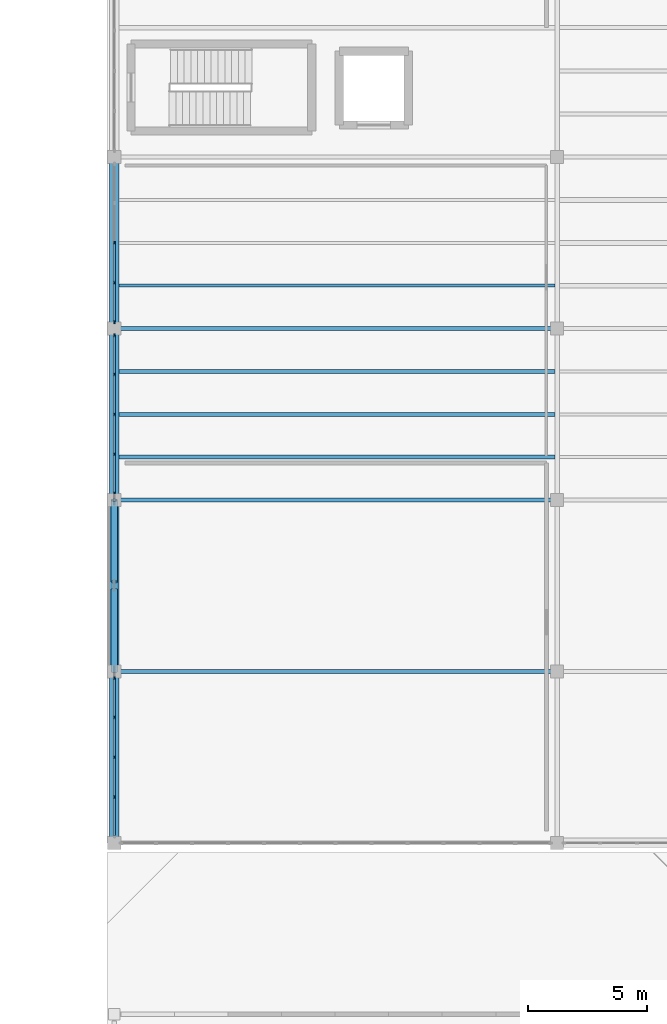
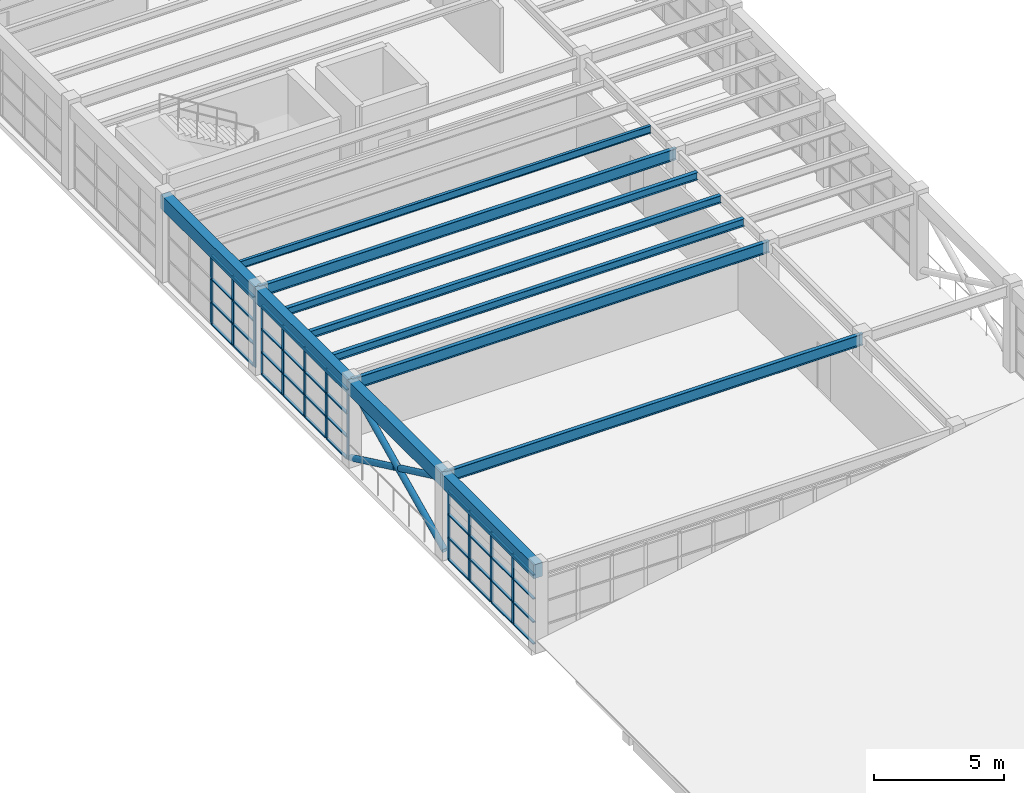
# One storey, part 29 of 66: 55 members, 11 beams, 3 elements without a shape of their own.
"""IFC4 building model written with IfcOpenShell, lengths in metres."""

from ifc_helpers import new_model, si_unit, direction, frame, origin, origin_2d, place, context, subcontext, project, spatial, rectangle, hollow_circle, i_section, extrude, material, layer, layer_set, material_profile, profile_set, type_object, element, aggregate, save


model = new_model("IFC4")

# Units and contexts
model_context = context("Model", 3, precision=1e-05, world=origin(), true_north=direction((0.0, 1.0)))
body_context = subcontext(model_context, "Body", "Model", "MODEL_VIEW")
ifc_project = project(units=[si_unit("LENGTHUNIT", "METRE"), si_unit("AREAUNIT", "SQUARE_METRE"), si_unit("VOLUMEUNIT", "CUBIC_METRE"), si_unit("PLANEANGLEUNIT", "RADIAN"), si_unit("MASSUNIT", "GRAM", prefix="KILO")], contexts=[model_context])

# Site, building, storey
site_placement = place(None, origin())
site = spatial("IfcSite", under=ifc_project, at=site_placement, CompositionType="ELEMENT")
building_placement = place(site_placement, origin())
building = spatial("IfcBuilding", under=site, at=building_placement, Name="Candilejo Ridge Gondola Terminal", CompositionType="ELEMENT")
storey_placement = place(building_placement, frame((0.0, 0.0, 14.39990234375)))
storey = spatial("IfcBuildingStorey", under=building, at=storey_placement, Name="L03", CompositionType="ELEMENT", Elevation=14.39990234375)

# Curtain wall, members
ifc_material_1 = material(Name="Anodised aluminium AA 6063-T6", Category="aluminium")
ifc_layer = layer(ifc_material_1, 0.169921875)
ifc_layer_set = layer_set([ifc_layer], Name="ARC-CW-TOWER-3000-670X329")
curtain_wall_type = type_object("IfcCurtainWallType", Name="ARC-CW-TOWER-3000-670X329", PredefinedType="NOTDEFINED", material=ifc_layer_set)
curtain_wall_1_placement = place(storey_placement, origin())
curtain_wall_1 = element("IfcCurtainWall", 1, at=curtain_wall_1_placement, inside=storey, type_object=curtain_wall_type, Name="Curtain wall V5 L03-196", PredefinedType="NOTDEFINED")
ifc_material_2 = material(Name="Anodised aluminium AA 6063-T6", Category="aluminium")
ifc_material_profile_1 = material_profile(ifc_material_2, rectangle(XDim=0.06494140625, YDim=0.14990234375, at=origin_2d()))
ifc_profile_set_1 = profile_set([ifc_material_profile_1], Name="Anodised aluminium AA 6063-T6")
member_type_1 = type_object("IfcMemberType", Name="ARC-CW-MULLION-150", PredefinedType="MULLION", material=ifc_profile_set_1)
member_1_placement = place(storey_placement, frame((150.0, 72.175048828125, 0.0), z_axis=(0.0, 0.0, 1.0), x_axis=(-1.0, 0.0, 0.0)))
member_1 = element("IfcMember", 2, at=member_1_placement, type_object=member_type_1, Name="CW-67X32 mullion 2", PredefinedType="MULLION", context=body_context, shape_type="SweptSolid", body=[
    extrude(rectangle(XDim=0.06494140625, YDim=0.14990234375, at=origin_2d()), origin(), (0.0, 0.0, 1.0), 3.2900390625),
])
member_2_placement = place(storey_placement, frame((150.0, 73.85009765625, 0.0), z_axis=(0.0, 0.0, 1.0), x_axis=(-1.0, 0.0, 0.0)))
member_2 = element("IfcMember", 3, at=member_2_placement, type_object=member_type_1, Name="CW-67X32 mullion 3", PredefinedType="MULLION", context=body_context, shape_type="SweptSolid", body=[
    extrude(rectangle(XDim=0.06494140625, YDim=0.14990234375, at=origin_2d()), origin(), (0.0, 0.0, 1.0), 3.2900390625),
])
member_3_placement = place(storey_placement, frame((150.0, 75.52490234375, 0.0), z_axis=(0.0, 0.0, 1.0), x_axis=(-1.0, 0.0, 0.0)))
member_3 = element("IfcMember", 4, at=member_3_placement, type_object=member_type_1, Name="CW-67X32 mullion 4", PredefinedType="MULLION", context=body_context, shape_type="SweptSolid", body=[
    extrude(rectangle(XDim=0.06494140625, YDim=0.14990234375, at=origin_2d()), origin(), (0.0, 0.0, 1.0), 3.2900390625),
])
member_4_placement = place(storey_placement, frame((150.0, 77.16748046875, 0.0), z_axis=(0.0, 0.0, 1.0), x_axis=(-1.0, 0.0, 0.0)))
member_4 = element("IfcMember", 5, at=member_4_placement, type_object=member_type_1, Name="CW-67X32 mullion 5", PredefinedType="MULLION", context=body_context, shape_type="SweptSolid", body=[
    extrude(rectangle(XDim=0.06494140625, YDim=0.14990234375, at=origin_2d()), origin(), (0.0, 0.0, 1.0), 3.2900390625),
])

curtain_wall_2_placement = place(storey_placement, origin())
curtain_wall_2 = element("IfcCurtainWall", 6, at=curtain_wall_2_placement, inside=storey, type_object=curtain_wall_type, Name="Curtain wall V5 L03-198", PredefinedType="NOTDEFINED")
member_5_placement = place(storey_placement, frame((150.0, 84.9326171875, 0.0), z_axis=(0.0, 0.0, 1.0), x_axis=(-1.0, 0.0, 0.0)))
member_5 = element("IfcMember", 7, at=member_5_placement, type_object=member_type_1, Name="CW-67X32 mullion 1", PredefinedType="MULLION", context=body_context, shape_type="SweptSolid", body=[
    extrude(rectangle(XDim=0.06494140625, YDim=0.14990234375, at=origin_2d()), origin(), (0.0, 0.0, 1.0), 3.2900390625),
])
member_6_placement = place(storey_placement, frame((150.0, 86.574951171875, 0.0), z_axis=(0.0, 0.0, 1.0), x_axis=(-1.0, 0.0, 0.0)))
member_6 = element("IfcMember", 8, at=member_6_placement, type_object=member_type_1, Name="CW-67X32 mullion 2", PredefinedType="MULLION", context=body_context, shape_type="SweptSolid", body=[
    extrude(rectangle(XDim=0.06494140625, YDim=0.14990234375, at=origin_2d()), origin(), (0.0, 0.0, 1.0), 3.2900390625),
])
member_7_placement = place(storey_placement, frame((150.0, 88.25, 0.0), z_axis=(0.0, 0.0, 1.0), x_axis=(-1.0, 0.0, 0.0)))
member_7 = element("IfcMember", 9, at=member_7_placement, type_object=member_type_1, Name="CW-67X32 mullion 3", PredefinedType="MULLION", context=body_context, shape_type="SweptSolid", body=[
    extrude(rectangle(XDim=0.06494140625, YDim=0.14990234375, at=origin_2d()), origin(), (0.0, 0.0, 1.0), 3.2900390625),
])
member_8_placement = place(storey_placement, frame((150.0, 89.925048828125, 0.0), z_axis=(0.0, 0.0, 1.0), x_axis=(-1.0, 0.0, 0.0)))
member_8 = element("IfcMember", 10, at=member_8_placement, type_object=member_type_1, Name="CW-67X32 mullion 4", PredefinedType="MULLION", context=body_context, shape_type="SweptSolid", body=[
    extrude(rectangle(XDim=0.06494140625, YDim=0.14990234375, at=origin_2d()), origin(), (0.0, 0.0, 1.0), 3.2900390625),
])
member_9_placement = place(storey_placement, frame((150.0, 91.5673828125, 0.0), z_axis=(0.0, 0.0, 1.0), x_axis=(-1.0, 0.0, 0.0)))
member_9 = element("IfcMember", 11, at=member_9_placement, type_object=member_type_1, Name="CW-67X32 mullion 5", PredefinedType="MULLION", context=body_context, shape_type="SweptSolid", body=[
    extrude(rectangle(XDim=0.06494140625, YDim=0.14990234375, at=origin_2d()), origin(), (0.0, 0.0, 1.0), 3.2900390625),
])

curtain_wall_3_placement = place(storey_placement, origin())
curtain_wall_3 = element("IfcCurtainWall", 12, at=curtain_wall_3_placement, inside=storey, type_object=curtain_wall_type, Name="Curtain wall V5 L03-200", PredefinedType="NOTDEFINED")
member_10_placement = place(storey_placement, frame((150.0, 92.132568359375, 0.0), z_axis=(0.0, 0.0, 1.0), x_axis=(-1.0, 0.0, 0.0)))
member_10 = element("IfcMember", 13, at=member_10_placement, type_object=member_type_1, Name="CW-67X32 mullion 1", PredefinedType="MULLION", context=body_context, shape_type="SweptSolid", body=[
    extrude(rectangle(XDim=0.06494140625, YDim=0.14990234375, at=origin_2d()), origin(), (0.0, 0.0, 1.0), 3.2900390625),
])
member_11_placement = place(storey_placement, frame((150.0, 93.77490234375, 0.0), z_axis=(0.0, 0.0, 1.0), x_axis=(-1.0, 0.0, 0.0)))
member_11 = element("IfcMember", 14, at=member_11_placement, type_object=member_type_1, Name="CW-67X32 mullion 2", PredefinedType="MULLION", context=body_context, shape_type="SweptSolid", body=[
    extrude(rectangle(XDim=0.06494140625, YDim=0.14990234375, at=origin_2d()), origin(), (0.0, 0.0, 1.0), 3.2900390625),
])
member_12_placement = place(storey_placement, frame((150.0, 95.449951171875, 0.0), z_axis=(0.0, 0.0, 1.0), x_axis=(-1.0, 0.0, 0.0)))
member_12 = element("IfcMember", 15, at=member_12_placement, type_object=member_type_1, Name="CW-67X32 mullion 3", PredefinedType="MULLION", context=body_context, shape_type="SweptSolid", body=[
    extrude(rectangle(XDim=0.06494140625, YDim=0.14990234375, at=origin_2d()), origin(), (0.0, 0.0, 1.0), 3.2900390625),
])

# Member
ifc_material_3 = material(Name="Anodised aluminium AA 6063-T6", Category="aluminium")
ifc_material_profile_2 = material_profile(ifc_material_3, rectangle(XDim=0.110107421875, YDim=0.06005859375, at=origin_2d()))
ifc_profile_set_2 = profile_set([ifc_material_profile_2], Name="Anodised aluminium AA 6063-T6")
member_type_2 = type_object("IfcMemberType", Name="ARC-CW-TRANSOM-110", PredefinedType="USERDEFINED", material=ifc_profile_set_2)
member_13_placement = place(storey_placement, frame((150.0, 70.56494140625, 0.030029296875), z_axis=(0.0, 1.0, 0.0), x_axis=(-1.0, 0.0, 0.0)))
member_13 = element("IfcMember", 16, at=member_13_placement, type_object=member_type_2, Name="CW-67X32 transom 1.1", ObjectType="TRANSOM", PredefinedType="USERDEFINED", context=body_context, shape_type="SweptSolid", body=[
    extrude(rectangle(XDim=0.110107421875, YDim=0.06005859375, at=origin_2d()), origin(), (0.0, 0.0, 1.0), 1.57763671875),
])

member_14_placement = place(storey_placement, frame((150.0, 70.56494140625, 1.050048828125), z_axis=(0.0, 1.0, 0.0), x_axis=(-1.0, 0.0, 0.0)))
member_14 = element("IfcMember", 17, at=member_14_placement, type_object=member_type_2, Name="CW-67X32 transom 1.2", ObjectType="TRANSOM", PredefinedType="USERDEFINED", context=body_context, shape_type="SweptSolid", body=[
    extrude(rectangle(XDim=0.110107421875, YDim=0.06005859375, at=origin_2d()), origin(), (0.0, 0.0, 1.0), 1.57763671875),
])

member_15_placement = place(storey_placement, frame((150.0, 70.56494140625, 2.150146484375), z_axis=(0.0, 1.0, 0.0), x_axis=(-1.0, 0.0, 0.0)))
member_15 = element("IfcMember", 18, at=member_15_placement, type_object=member_type_2, Name="CW-67X32 transom 1.3", ObjectType="TRANSOM", PredefinedType="USERDEFINED", context=body_context, shape_type="SweptSolid", body=[
    extrude(rectangle(XDim=0.110107421875, YDim=0.06005859375, at=origin_2d()), origin(), (0.0, 0.0, 1.0), 1.57763671875),
])

member_16_placement = place(storey_placement, frame((150.0, 70.56494140625, 3.260009765625), z_axis=(0.0, 1.0, 0.0), x_axis=(-1.0, 0.0, 0.0)))
member_16 = element("IfcMember", 19, at=member_16_placement, type_object=member_type_2, Name="CW-67X32 transom 1.4", ObjectType="TRANSOM", PredefinedType="USERDEFINED", context=body_context, shape_type="SweptSolid", body=[
    extrude(rectangle(XDim=0.110107421875, YDim=0.06005859375, at=origin_2d()), origin(), (0.0, 0.0, 1.0), 1.57763671875),
])

member_17_placement = place(storey_placement, frame((150.0, 72.20751953125, 0.030029296875), z_axis=(0.0, 1.0, 0.0), x_axis=(-1.0, 0.0, 0.0)))
member_17 = element("IfcMember", 20, at=member_17_placement, type_object=member_type_2, Name="CW-67X32 transom 2.1", ObjectType="TRANSOM", PredefinedType="USERDEFINED", context=body_context, shape_type="SweptSolid", body=[
    extrude(rectangle(XDim=0.110107421875, YDim=0.06005859375, at=origin_2d()), origin(), (0.0, 0.0, 1.0), 1.60986328125),
])

member_18_placement = place(storey_placement, frame((150.0, 72.20751953125, 1.050048828125), z_axis=(0.0, 1.0, 0.0), x_axis=(-1.0, 0.0, 0.0)))
member_18 = element("IfcMember", 21, at=member_18_placement, type_object=member_type_2, Name="CW-67X32 transom 2.2", ObjectType="TRANSOM", PredefinedType="USERDEFINED", context=body_context, shape_type="SweptSolid", body=[
    extrude(rectangle(XDim=0.110107421875, YDim=0.06005859375, at=origin_2d()), origin(), (0.0, 0.0, 1.0), 1.60986328125),
])

member_19_placement = place(storey_placement, frame((150.0, 72.20751953125, 2.150146484375), z_axis=(0.0, 1.0, 0.0), x_axis=(-1.0, 0.0, 0.0)))
member_19 = element("IfcMember", 22, at=member_19_placement, type_object=member_type_2, Name="CW-67X32 transom 2.3", ObjectType="TRANSOM", PredefinedType="USERDEFINED", context=body_context, shape_type="SweptSolid", body=[
    extrude(rectangle(XDim=0.110107421875, YDim=0.06005859375, at=origin_2d()), origin(), (0.0, 0.0, 1.0), 1.60986328125),
])

member_20_placement = place(storey_placement, frame((150.0, 72.20751953125, 3.260009765625), z_axis=(0.0, 1.0, 0.0), x_axis=(-1.0, 0.0, 0.0)))
member_20 = element("IfcMember", 23, at=member_20_placement, type_object=member_type_2, Name="CW-67X32 transom 2.4", ObjectType="TRANSOM", PredefinedType="USERDEFINED", context=body_context, shape_type="SweptSolid", body=[
    extrude(rectangle(XDim=0.110107421875, YDim=0.06005859375, at=origin_2d()), origin(), (0.0, 0.0, 1.0), 1.60986328125),
])

member_21_placement = place(storey_placement, frame((150.0, 73.882568359375, 0.030029296875), z_axis=(0.0, 1.0, 0.0), x_axis=(-1.0, 0.0, 0.0)))
member_21 = element("IfcMember", 24, at=member_21_placement, type_object=member_type_2, Name="CW-67X32 transom 3.1", ObjectType="TRANSOM", PredefinedType="USERDEFINED", context=body_context, shape_type="SweptSolid", body=[
    extrude(rectangle(XDim=0.110107421875, YDim=0.06005859375, at=origin_2d()), origin(), (0.0, 0.0, 1.0), 1.60986328125),
])

member_22_placement = place(storey_placement, frame((150.0, 73.882568359375, 1.050048828125), z_axis=(0.0, 1.0, 0.0), x_axis=(-1.0, 0.0, 0.0)))
member_22 = element("IfcMember", 25, at=member_22_placement, type_object=member_type_2, Name="CW-67X32 transom 3.2", ObjectType="TRANSOM", PredefinedType="USERDEFINED", context=body_context, shape_type="SweptSolid", body=[
    extrude(rectangle(XDim=0.110107421875, YDim=0.06005859375, at=origin_2d()), origin(), (0.0, 0.0, 1.0), 1.60986328125),
])

member_23_placement = place(storey_placement, frame((150.0, 73.882568359375, 2.150146484375), z_axis=(0.0, 1.0, 0.0), x_axis=(-1.0, 0.0, 0.0)))
member_23 = element("IfcMember", 26, at=member_23_placement, type_object=member_type_2, Name="CW-67X32 transom 3.3", ObjectType="TRANSOM", PredefinedType="USERDEFINED", context=body_context, shape_type="SweptSolid", body=[
    extrude(rectangle(XDim=0.110107421875, YDim=0.06005859375, at=origin_2d()), origin(), (0.0, 0.0, 1.0), 1.60986328125),
])

member_24_placement = place(storey_placement, frame((150.0, 73.882568359375, 3.260009765625), z_axis=(0.0, 1.0, 0.0), x_axis=(-1.0, 0.0, 0.0)))
member_24 = element("IfcMember", 27, at=member_24_placement, type_object=member_type_2, Name="CW-67X32 transom 3.4", ObjectType="TRANSOM", PredefinedType="USERDEFINED", context=body_context, shape_type="SweptSolid", body=[
    extrude(rectangle(XDim=0.110107421875, YDim=0.06005859375, at=origin_2d()), origin(), (0.0, 0.0, 1.0), 1.60986328125),
])

member_25_placement = place(storey_placement, frame((150.0, 75.5576171875, 0.030029296875), z_axis=(0.0, 1.0, 0.0), x_axis=(-1.0, 0.0, 0.0)))
member_25 = element("IfcMember", 28, at=member_25_placement, type_object=member_type_2, Name="CW-67X32 transom 4.1", ObjectType="TRANSOM", PredefinedType="USERDEFINED", context=body_context, shape_type="SweptSolid", body=[
    extrude(rectangle(XDim=0.110107421875, YDim=0.06005859375, at=origin_2d()), origin(), (0.0, 0.0, 1.0), 1.577392578125),
])

member_26_placement = place(storey_placement, frame((150.0, 75.5576171875, 1.050048828125), z_axis=(0.0, 1.0, 0.0), x_axis=(-1.0, 0.0, 0.0)))
member_26 = element("IfcMember", 29, at=member_26_placement, type_object=member_type_2, Name="CW-67X32 transom 4.2", ObjectType="TRANSOM", PredefinedType="USERDEFINED", context=body_context, shape_type="SweptSolid", body=[
    extrude(rectangle(XDim=0.110107421875, YDim=0.06005859375, at=origin_2d()), origin(), (0.0, 0.0, 1.0), 1.577392578125),
])

member_27_placement = place(storey_placement, frame((150.0, 75.5576171875, 2.150146484375), z_axis=(0.0, 1.0, 0.0), x_axis=(-1.0, 0.0, 0.0)))
member_27 = element("IfcMember", 30, at=member_27_placement, type_object=member_type_2, Name="CW-67X32 transom 4.3", ObjectType="TRANSOM", PredefinedType="USERDEFINED", context=body_context, shape_type="SweptSolid", body=[
    extrude(rectangle(XDim=0.110107421875, YDim=0.06005859375, at=origin_2d()), origin(), (0.0, 0.0, 1.0), 1.577392578125),
])

member_28_placement = place(storey_placement, frame((150.0, 75.5576171875, 3.260009765625), z_axis=(0.0, 1.0, 0.0), x_axis=(-1.0, 0.0, 0.0)))
member_28 = element("IfcMember", 31, at=member_28_placement, type_object=member_type_2, Name="CW-67X32 transom 4.4", ObjectType="TRANSOM", PredefinedType="USERDEFINED", context=body_context, shape_type="SweptSolid", body=[
    extrude(rectangle(XDim=0.110107421875, YDim=0.06005859375, at=origin_2d()), origin(), (0.0, 0.0, 1.0), 1.577392578125),
])

aggregate(curtain_wall_1, [member_1, member_2, member_3, member_4, member_13, member_14, member_15, member_16, member_17, member_18, member_19, member_20, member_21, member_22, member_23, member_24, member_25, member_26, member_27, member_28])

member_29_placement = place(storey_placement, frame((150.0, 84.965087890625, 0.030029296875), z_axis=(0.0, 1.0, 0.0), x_axis=(-1.0, 0.0, 0.0)))
member_29 = element("IfcMember", 32, at=member_29_placement, type_object=member_type_2, Name="CW-67X32 transom 1.1", ObjectType="TRANSOM", PredefinedType="USERDEFINED", context=body_context, shape_type="SweptSolid", body=[
    extrude(rectangle(XDim=0.110107421875, YDim=0.06005859375, at=origin_2d()), origin(), (0.0, 0.0, 1.0), 1.577392578125),
])

member_30_placement = place(storey_placement, frame((150.0, 84.965087890625, 1.050048828125), z_axis=(0.0, 1.0, 0.0), x_axis=(-1.0, 0.0, 0.0)))
member_30 = element("IfcMember", 33, at=member_30_placement, type_object=member_type_2, Name="CW-67X32 transom 1.2", ObjectType="TRANSOM", PredefinedType="USERDEFINED", context=body_context, shape_type="SweptSolid", body=[
    extrude(rectangle(XDim=0.110107421875, YDim=0.06005859375, at=origin_2d()), origin(), (0.0, 0.0, 1.0), 1.577392578125),
])

member_31_placement = place(storey_placement, frame((150.0, 84.965087890625, 2.150146484375), z_axis=(0.0, 1.0, 0.0), x_axis=(-1.0, 0.0, 0.0)))
member_31 = element("IfcMember", 34, at=member_31_placement, type_object=member_type_2, Name="CW-67X32 transom 1.3", ObjectType="TRANSOM", PredefinedType="USERDEFINED", context=body_context, shape_type="SweptSolid", body=[
    extrude(rectangle(XDim=0.110107421875, YDim=0.06005859375, at=origin_2d()), origin(), (0.0, 0.0, 1.0), 1.577392578125),
])

member_32_placement = place(storey_placement, frame((150.0, 84.965087890625, 3.260009765625), z_axis=(0.0, 1.0, 0.0), x_axis=(-1.0, 0.0, 0.0)))
member_32 = element("IfcMember", 35, at=member_32_placement, type_object=member_type_2, Name="CW-67X32 transom 1.4", ObjectType="TRANSOM", PredefinedType="USERDEFINED", context=body_context, shape_type="SweptSolid", body=[
    extrude(rectangle(XDim=0.110107421875, YDim=0.06005859375, at=origin_2d()), origin(), (0.0, 0.0, 1.0), 1.577392578125),
])

member_33_placement = place(storey_placement, frame((150.0, 86.607421875, 0.030029296875), z_axis=(0.0, 1.0, 0.0), x_axis=(-1.0, 0.0, 0.0)))
member_33 = element("IfcMember", 36, at=member_33_placement, type_object=member_type_2, Name="CW-67X32 transom 2.1", ObjectType="TRANSOM", PredefinedType="USERDEFINED", context=body_context, shape_type="SweptSolid", body=[
    extrude(rectangle(XDim=0.110107421875, YDim=0.06005859375, at=origin_2d()), origin(), (0.0, 0.0, 1.0), 1.610107421875),
])

member_34_placement = place(storey_placement, frame((150.0, 86.607421875, 1.050048828125), z_axis=(0.0, 1.0, 0.0), x_axis=(-1.0, 0.0, 0.0)))
member_34 = element("IfcMember", 37, at=member_34_placement, type_object=member_type_2, Name="CW-67X32 transom 2.2", ObjectType="TRANSOM", PredefinedType="USERDEFINED", context=body_context, shape_type="SweptSolid", body=[
    extrude(rectangle(XDim=0.110107421875, YDim=0.06005859375, at=origin_2d()), origin(), (0.0, 0.0, 1.0), 1.610107421875),
])

member_35_placement = place(storey_placement, frame((150.0, 86.607421875, 2.150146484375), z_axis=(0.0, 1.0, 0.0), x_axis=(-1.0, 0.0, 0.0)))
member_35 = element("IfcMember", 38, at=member_35_placement, type_object=member_type_2, Name="CW-67X32 transom 2.3", ObjectType="TRANSOM", PredefinedType="USERDEFINED", context=body_context, shape_type="SweptSolid", body=[
    extrude(rectangle(XDim=0.110107421875, YDim=0.06005859375, at=origin_2d()), origin(), (0.0, 0.0, 1.0), 1.610107421875),
])

member_36_placement = place(storey_placement, frame((150.0, 86.607421875, 3.260009765625), z_axis=(0.0, 1.0, 0.0), x_axis=(-1.0, 0.0, 0.0)))
member_36 = element("IfcMember", 39, at=member_36_placement, type_object=member_type_2, Name="CW-67X32 transom 2.4", ObjectType="TRANSOM", PredefinedType="USERDEFINED", context=body_context, shape_type="SweptSolid", body=[
    extrude(rectangle(XDim=0.110107421875, YDim=0.06005859375, at=origin_2d()), origin(), (0.0, 0.0, 1.0), 1.610107421875),
])

member_37_placement = place(storey_placement, frame((150.0, 88.282470703125, 0.030029296875), z_axis=(0.0, 1.0, 0.0), x_axis=(-1.0, 0.0, 0.0)))
member_37 = element("IfcMember", 40, at=member_37_placement, type_object=member_type_2, Name="CW-67X32 transom 3.1", ObjectType="TRANSOM", PredefinedType="USERDEFINED", context=body_context, shape_type="SweptSolid", body=[
    extrude(rectangle(XDim=0.110107421875, YDim=0.06005859375, at=origin_2d()), origin(), (0.0, 0.0, 1.0), 1.610107421875),
])

member_38_placement = place(storey_placement, frame((150.0, 88.282470703125, 1.050048828125), z_axis=(0.0, 1.0, 0.0), x_axis=(-1.0, 0.0, 0.0)))
member_38 = element("IfcMember", 41, at=member_38_placement, type_object=member_type_2, Name="CW-67X32 transom 3.2", ObjectType="TRANSOM", PredefinedType="USERDEFINED", context=body_context, shape_type="SweptSolid", body=[
    extrude(rectangle(XDim=0.110107421875, YDim=0.06005859375, at=origin_2d()), origin(), (0.0, 0.0, 1.0), 1.610107421875),
])

member_39_placement = place(storey_placement, frame((150.0, 88.282470703125, 2.150146484375), z_axis=(0.0, 1.0, 0.0), x_axis=(-1.0, 0.0, 0.0)))
member_39 = element("IfcMember", 42, at=member_39_placement, type_object=member_type_2, Name="CW-67X32 transom 3.3", ObjectType="TRANSOM", PredefinedType="USERDEFINED", context=body_context, shape_type="SweptSolid", body=[
    extrude(rectangle(XDim=0.110107421875, YDim=0.06005859375, at=origin_2d()), origin(), (0.0, 0.0, 1.0), 1.610107421875),
])

member_40_placement = place(storey_placement, frame((150.0, 88.282470703125, 3.260009765625), z_axis=(0.0, 1.0, 0.0), x_axis=(-1.0, 0.0, 0.0)))
member_40 = element("IfcMember", 43, at=member_40_placement, type_object=member_type_2, Name="CW-67X32 transom 3.4", ObjectType="TRANSOM", PredefinedType="USERDEFINED", context=body_context, shape_type="SweptSolid", body=[
    extrude(rectangle(XDim=0.110107421875, YDim=0.06005859375, at=origin_2d()), origin(), (0.0, 0.0, 1.0), 1.610107421875),
])

member_41_placement = place(storey_placement, frame((150.0, 89.95751953125, 0.030029296875), z_axis=(0.0, 1.0, 0.0), x_axis=(-1.0, 0.0, 0.0)))
member_41 = element("IfcMember", 44, at=member_41_placement, type_object=member_type_2, Name="CW-67X32 transom 4.1", ObjectType="TRANSOM", PredefinedType="USERDEFINED", context=body_context, shape_type="SweptSolid", body=[
    extrude(rectangle(XDim=0.110107421875, YDim=0.06005859375, at=origin_2d()), origin(), (0.0, 0.0, 1.0), 1.577392578125),
])

member_42_placement = place(storey_placement, frame((150.0, 89.95751953125, 1.050048828125), z_axis=(0.0, 1.0, 0.0), x_axis=(-1.0, 0.0, 0.0)))
member_42 = element("IfcMember", 45, at=member_42_placement, type_object=member_type_2, Name="CW-67X32 transom 4.2", ObjectType="TRANSOM", PredefinedType="USERDEFINED", context=body_context, shape_type="SweptSolid", body=[
    extrude(rectangle(XDim=0.110107421875, YDim=0.06005859375, at=origin_2d()), origin(), (0.0, 0.0, 1.0), 1.577392578125),
])

member_43_placement = place(storey_placement, frame((150.0, 89.95751953125, 2.150146484375), z_axis=(0.0, 1.0, 0.0), x_axis=(-1.0, 0.0, 0.0)))
member_43 = element("IfcMember", 46, at=member_43_placement, type_object=member_type_2, Name="CW-67X32 transom 4.3", ObjectType="TRANSOM", PredefinedType="USERDEFINED", context=body_context, shape_type="SweptSolid", body=[
    extrude(rectangle(XDim=0.110107421875, YDim=0.06005859375, at=origin_2d()), origin(), (0.0, 0.0, 1.0), 1.577392578125),
])

member_44_placement = place(storey_placement, frame((150.0, 89.95751953125, 3.260009765625), z_axis=(0.0, 1.0, 0.0), x_axis=(-1.0, 0.0, 0.0)))
member_44 = element("IfcMember", 47, at=member_44_placement, type_object=member_type_2, Name="CW-67X32 transom 4.4", ObjectType="TRANSOM", PredefinedType="USERDEFINED", context=body_context, shape_type="SweptSolid", body=[
    extrude(rectangle(XDim=0.110107421875, YDim=0.06005859375, at=origin_2d()), origin(), (0.0, 0.0, 1.0), 1.577392578125),
])

aggregate(curtain_wall_2, [member_5, member_6, member_7, member_8, member_9, member_29, member_30, member_31, member_32, member_33, member_34, member_35, member_36, member_37, member_38, member_39, member_40, member_41, member_42, member_43, member_44])

member_45_placement = place(storey_placement, frame((150.0, 92.1650390625, 0.030029296875), z_axis=(0.0, 1.0, 0.0), x_axis=(-1.0, 0.0, 0.0)))
member_45 = element("IfcMember", 48, at=member_45_placement, type_object=member_type_2, Name="CW-67X32 transom 1.1", ObjectType="TRANSOM", PredefinedType="USERDEFINED", context=body_context, shape_type="SweptSolid", body=[
    extrude(rectangle(XDim=0.110107421875, YDim=0.06005859375, at=origin_2d()), origin(), (0.0, 0.0, 1.0), 1.577392578125),
])

member_46_placement = place(storey_placement, frame((150.0, 92.1650390625, 1.050048828125), z_axis=(0.0, 1.0, 0.0), x_axis=(-1.0, 0.0, 0.0)))
member_46 = element("IfcMember", 49, at=member_46_placement, type_object=member_type_2, Name="CW-67X32 transom 1.2", ObjectType="TRANSOM", PredefinedType="USERDEFINED", context=body_context, shape_type="SweptSolid", body=[
    extrude(rectangle(XDim=0.110107421875, YDim=0.06005859375, at=origin_2d()), origin(), (0.0, 0.0, 1.0), 1.577392578125),
])

member_47_placement = place(storey_placement, frame((150.0, 92.1650390625, 2.150146484375), z_axis=(0.0, 1.0, 0.0), x_axis=(-1.0, 0.0, 0.0)))
member_47 = element("IfcMember", 50, at=member_47_placement, type_object=member_type_2, Name="CW-67X32 transom 1.3", ObjectType="TRANSOM", PredefinedType="USERDEFINED", context=body_context, shape_type="SweptSolid", body=[
    extrude(rectangle(XDim=0.110107421875, YDim=0.06005859375, at=origin_2d()), origin(), (0.0, 0.0, 1.0), 1.577392578125),
])

member_48_placement = place(storey_placement, frame((150.0, 92.1650390625, 3.260009765625), z_axis=(0.0, 1.0, 0.0), x_axis=(-1.0, 0.0, 0.0)))
member_48 = element("IfcMember", 51, at=member_48_placement, type_object=member_type_2, Name="CW-67X32 transom 1.4", ObjectType="TRANSOM", PredefinedType="USERDEFINED", context=body_context, shape_type="SweptSolid", body=[
    extrude(rectangle(XDim=0.110107421875, YDim=0.06005859375, at=origin_2d()), origin(), (0.0, 0.0, 1.0), 1.577392578125),
])

member_49_placement = place(storey_placement, frame((150.0, 93.8076171875, 0.030029296875), z_axis=(0.0, 1.0, 0.0), x_axis=(-1.0, 0.0, 0.0)))
member_49 = element("IfcMember", 52, at=member_49_placement, type_object=member_type_2, Name="CW-67X32 transom 2.1", ObjectType="TRANSOM", PredefinedType="USERDEFINED", context=body_context, shape_type="SweptSolid", body=[
    extrude(rectangle(XDim=0.110107421875, YDim=0.06005859375, at=origin_2d()), origin(), (0.0, 0.0, 1.0), 1.60986328125),
])

member_50_placement = place(storey_placement, frame((150.0, 93.8076171875, 1.050048828125), z_axis=(0.0, 1.0, 0.0), x_axis=(-1.0, 0.0, 0.0)))
member_50 = element("IfcMember", 53, at=member_50_placement, type_object=member_type_2, Name="CW-67X32 transom 2.2", ObjectType="TRANSOM", PredefinedType="USERDEFINED", context=body_context, shape_type="SweptSolid", body=[
    extrude(rectangle(XDim=0.110107421875, YDim=0.06005859375, at=origin_2d()), origin(), (0.0, 0.0, 1.0), 1.60986328125),
])

member_51_placement = place(storey_placement, frame((150.0, 93.8076171875, 2.150146484375), z_axis=(0.0, 1.0, 0.0), x_axis=(-1.0, 0.0, 0.0)))
member_51 = element("IfcMember", 54, at=member_51_placement, type_object=member_type_2, Name="CW-67X32 transom 2.3", ObjectType="TRANSOM", PredefinedType="USERDEFINED", context=body_context, shape_type="SweptSolid", body=[
    extrude(rectangle(XDim=0.110107421875, YDim=0.06005859375, at=origin_2d()), origin(), (0.0, 0.0, 1.0), 1.60986328125),
])

member_52_placement = place(storey_placement, frame((150.0, 93.8076171875, 3.260009765625), z_axis=(0.0, 1.0, 0.0), x_axis=(-1.0, 0.0, 0.0)))
member_52 = element("IfcMember", 55, at=member_52_placement, type_object=member_type_2, Name="CW-67X32 transom 2.4", ObjectType="TRANSOM", PredefinedType="USERDEFINED", context=body_context, shape_type="SweptSolid", body=[
    extrude(rectangle(XDim=0.110107421875, YDim=0.06005859375, at=origin_2d()), origin(), (0.0, 0.0, 1.0), 1.60986328125),
])

aggregate(curtain_wall_3, [member_10, member_11, member_12, member_45, member_46, member_47, member_48, member_49, member_50, member_51, member_52])

# Beams
ifc_material_4 = material(Name="Steel ASTM A992 Grade 50", Category="steel")
ifc_material_profile_3 = material_profile(ifc_material_4, i_section(OverallWidth=0.166015625, OverallDepth=0.529052734375, WebThickness=0.009765625, FlangeThickness=0.013671875, at=origin_2d()))
ifc_profile_set_3 = profile_set([ifc_material_profile_3], Name="Steel ASTM A992 Grade 50")
beam_type_1 = type_object("IfcBeamType", Name="STR-BM-W530X74", PredefinedType="BEAM", material=ifc_profile_set_3)
for number, where, z_axis, x_axis, name in (
    (56, (150.0, 77.449951171875, 3.7255859375), (1.0, 0.0, 0.0), (0.0, 1.0, 0.0), "Beam X V5 L03 X23-X25@Y14"),
    (57, (150.0, 84.64990234375, 3.7255859375), (1.0, 0.0, 0.0), (0.0, 1.0, 0.0), "Beam X V5 L03 X23-X25@Y15"),
    (58, (150.0, 91.85009765625, 3.7255859375), (1.0, 0.0, 0.0), (0.0, 1.0, 0.0), "Beam X V5 L03 X23-X25@Y16"),
):
    element("IfcBeam", number, at=place(storey_placement, frame(where, z_axis=z_axis, x_axis=x_axis)), inside=storey, type_object=beam_type_1, Name=name, PredefinedType="BEAM", context=body_context, shape_type="SweptSolid", body=[
        extrude(i_section(OverallWidth=0.166015625, OverallDepth=0.529052734375, WebThickness=0.009765625, FlangeThickness=0.013671875, at=origin_2d()), origin(), (0.0, 0.0, 1.0), 18.60009765625),
    ])

# Members
ifc_material_5 = material(Name="Steel ASTM A500 Grade C", Category="steel")
ifc_material_profile_4 = material_profile(ifc_material_5, hollow_circle(Radius=0.136474609375, WallThickness=0.00927734375, at=origin_2d()))
ifc_profile_set_4 = profile_set([ifc_material_profile_4], Name="Steel ASTM A500 Grade C")
member_type_3 = type_object("IfcMemberType", Name="STR-BRC-CHS273", PredefinedType="BRACE", material=ifc_profile_set_4)
member_53_placement = place(storey_placement, frame((150.0, 77.449951171875, 0.25), z_axis=(0.0, 0.903517506795, 0.428551181209), x_axis=(-1.0, 0.0, 0.0)))
element("IfcMember", 59, at=member_53_placement, inside=storey, type_object=member_type_3, Name="X-brace continuous diagonal V5 L03-09A", PredefinedType="BRACE", context=body_context, shape_type="SweptSolid", body=[
    extrude(hollow_circle(Radius=0.136474609375, WallThickness=0.00927734375, at=origin_2d()), origin(), (0.0, 0.0, 1.0), 7.96875),
])
for number, where, z_axis, x_axis, name in (
    (60, (150.0, 77.449951171875, 3.6650390625), (0.0, 0.903525765341, -0.428533769224), (-1.0, 0.0, 0.0), "X-brace split upper segment V5 L03-09B"),
    (61, (150.0, 81.21728515625, 1.87841796875), (0.0, 0.903489080599, -0.428611107226), (-1.0, 0.0, 0.0), "X-brace split lower segment V5 L03-09C"),
):
    element("IfcMember", number, at=place(storey_placement, frame(where, z_axis=z_axis, x_axis=x_axis)), inside=storey, type_object=member_type_3, Name=name, PredefinedType="BRACE", context=body_context, shape_type="SweptSolid", body=[
        extrude(hollow_circle(Radius=0.136474609375, WallThickness=0.00927734375, at=origin_2d()), origin(), (0.0, 0.0, 1.0), 3.79931640625),
    ])

# Beams
ifc_material_6 = material(Name="Steel ASTM A992 Grade 50", Category="steel")
ifc_material_profile_5 = material_profile(ifc_material_6, i_section(OverallWidth=0.1279296875, OverallDepth=0.35302734375, WebThickness=0.006591796875, FlangeThickness=0.0107421875, at=origin_2d()))
ifc_profile_set_5 = profile_set([ifc_material_profile_5], Name="Steel ASTM A992 Grade 50")
beam_type_2 = type_object("IfcBeamType", Name="STR-JST-W360X39", PredefinedType="JOIST", material=ifc_profile_set_5)
beam_1_placement = place(storey_placement, frame((150.199951171875, 93.64990234375, 3.8134765625), z_axis=(1.0, 0.0, 0.0), x_axis=(0.0, 1.0, 0.0)))
element("IfcBeam", 62, at=beam_1_placement, inside=storey, type_object=beam_type_2, Name="Composite joist V5 L03-1384", PredefinedType="JOIST", context=body_context, shape_type="SweptSolid", body=[
    extrude(i_section(OverallWidth=0.1279296875, OverallDepth=0.35302734375, WebThickness=0.006591796875, FlangeThickness=0.0107421875, at=origin_2d()), origin(), (0.0, 0.0, 1.0), 18.302978515625),
])
ifc_material_7 = material(Name="Steel ASTM A992 Grade 50", Category="steel")
ifc_material_profile_6 = material_profile(ifc_material_7, i_section(OverallWidth=0.1708984375, OverallDepth=0.35205078125, WebThickness=0.0068359375, FlangeThickness=0.009765625, at=origin_2d()))
ifc_profile_set_6 = profile_set([ifc_material_profile_6], Name="Steel ASTM A992 Grade 50")
beam_type_3 = type_object("IfcBeamType", Name="STR-JST-W360X44", PredefinedType="JOIST", material=ifc_profile_set_6)
for number, where, z_axis, x_axis, name in (
    (63, (150.199951171875, 86.449951171875, 3.814208984375), (1.0, 0.0, 0.0), (0.0, 1.0, 0.0), "Composite joist V5 L03-1381"),
    (64, (150.199951171875, 88.25, 3.814208984375), (1.0, 0.0, 0.0), (0.0, 1.0, 0.0), "Composite joist V5 L03-1382"),
    (65, (150.199951171875, 90.050048828125, 3.814208984375), (1.0, 0.0, 0.0), (0.0, 1.0, 0.0), "Composite joist V5 L03-1383"),
):
    element("IfcBeam", number, at=place(storey_placement, frame(where, z_axis=z_axis, x_axis=x_axis)), inside=storey, type_object=beam_type_3, Name=name, PredefinedType="JOIST", context=body_context, shape_type="SweptSolid", body=[
        extrude(i_section(OverallWidth=0.1708984375, OverallDepth=0.35205078125, WebThickness=0.0068359375, FlangeThickness=0.009765625, at=origin_2d()), origin(), (0.0, 0.0, 1.0), 18.302978515625),
    ])
ifc_material_8 = material(Name="Concrete f'c 35 MPa (C35/45)", Category="concrete")
ifc_material_profile_7 = material_profile(ifc_material_8, rectangle(XDim=0.39990234375, YDim=0.64990234375, at=origin_2d()))
ifc_profile_set_7 = profile_set([ifc_material_profile_7], Name="Concrete f'c 35 MPa (C35/45)")
beam_type_4 = type_object("IfcBeamType", Name="STR-SPN-RC400X650", PredefinedType="SPANDREL", material=ifc_profile_set_7)
for number, where, z_axis, x_axis, name in (
    (66, (150.0, 70.25, 3.6650390625), (0.0, 1.0, 0.0), (-1.0, 0.0, 0.0), "Beam Y V5 L03 Y13-Y14@X23"),
    (67, (150.0, 77.449951171875, 3.6650390625), (0.0, 1.0, 0.0), (-1.0, 0.0, 0.0), "Beam Y V5 L03 Y14-Y15@X23"),
):
    element("IfcBeam", number, at=place(storey_placement, frame(where, z_axis=z_axis, x_axis=x_axis)), inside=storey, type_object=beam_type_4, Name=name, PredefinedType="SPANDREL", context=body_context, shape_type="SweptSolid", body=[
        extrude(rectangle(XDim=0.39990234375, YDim=0.64990234375, at=origin_2d()), origin(), (0.0, 0.0, 1.0), 7.199951171875),
    ])
beam_2_placement = place(storey_placement, frame((150.0, 84.64990234375, 3.6650390625), z_axis=(0.0, 1.0, 0.0), x_axis=(-1.0, 0.0, 0.0)))
element("IfcBeam", 68, at=beam_2_placement, inside=storey, type_object=beam_type_4, Name="Beam Y V5 L03 Y15-Y16@X23", PredefinedType="SPANDREL", context=body_context, shape_type="SweptSolid", body=[
    extrude(rectangle(XDim=0.39990234375, YDim=0.64990234375, at=origin_2d()), origin(), (0.0, 0.0, 1.0), 7.2001953125),
])
beam_3_placement = place(storey_placement, frame((150.0, 91.85009765625, 3.6650390625), z_axis=(0.0, 1.0, 0.0), x_axis=(-1.0, 0.0, 0.0)))
element("IfcBeam", 69, at=beam_3_placement, inside=storey, type_object=beam_type_4, Name="Beam Y V5 L03 Y16-Y17@X23", PredefinedType="SPANDREL", context=body_context, shape_type="SweptSolid", body=[
    extrude(rectangle(XDim=0.39990234375, YDim=0.64990234375, at=origin_2d()), origin(), (0.0, 0.0, 1.0), 7.199951171875),
])

save(model, "model.ifc")
